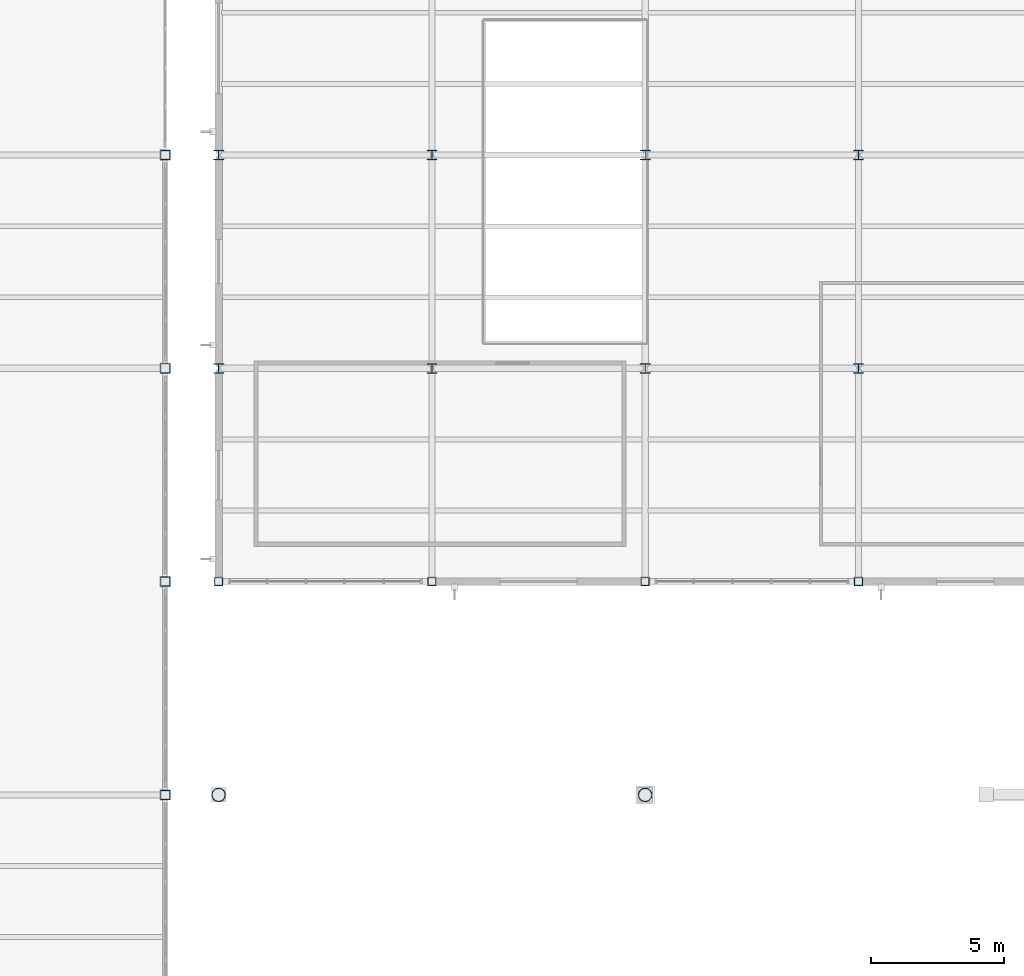
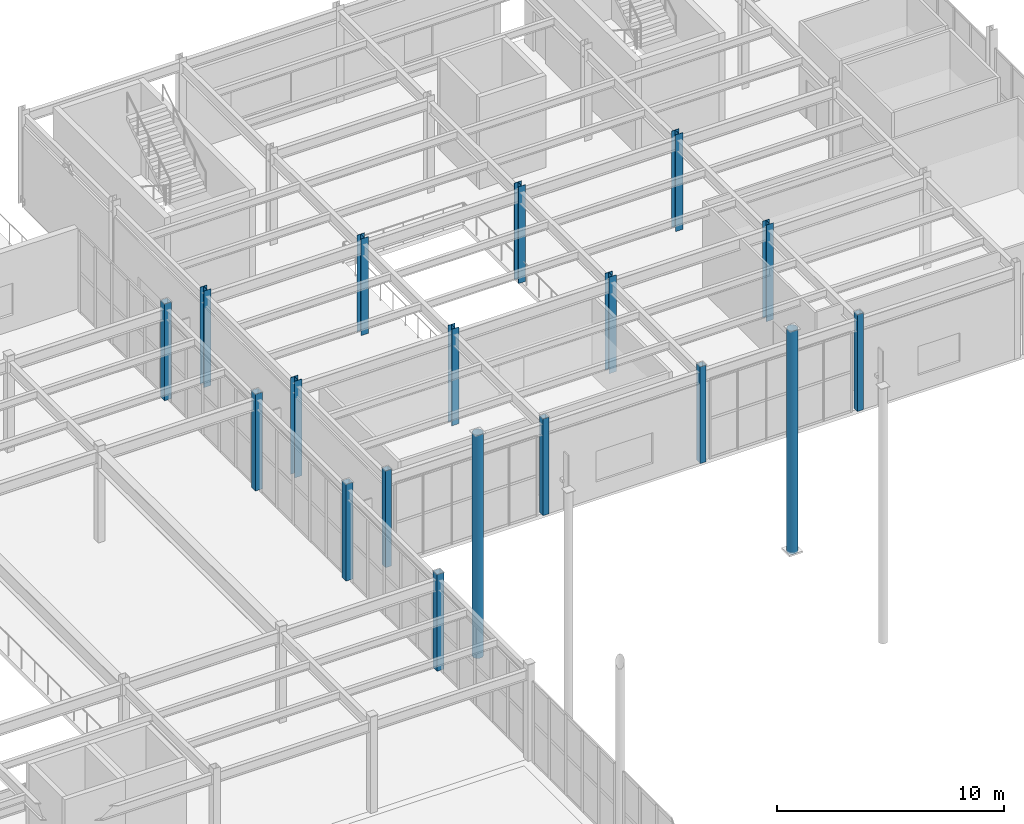
# One storey, part 12 of 77: 18 columns.
"""IFC4 building model written with IfcOpenShell, lengths in metres."""

import ifcopenshell
import ifcopenshell.guid

model = None  # the IFC model being written
_history = None  # IfcOwnerHistory: only IFC2X3 demands one
_inside = {}  # id of a spatial element -> (the spatial element, [elements in it])
_under = {}  # id of a project, library or spatial element -> (it, [spatial elements below it])
_declared = {}  # id of a project -> (the project, [libraries it declares])
_typed = {}  # id of a type object -> (the type object, [elements of that type])
_made_of = {}  # id of a material, layer set ... -> (it, [elements and type objects made of it])


def new_model(schema):
    """Start an empty IFC model of exactly this schema.

    Asked for "IFC4X3", IfcOpenShell would pick the latest addendum, in which some entities
    have other attributes; the version numbers below select the first issue.
    IFC2X3 requires an IfcOwnerHistory on every rooted entity: one is made here for all.
    """
    global model, _history
    if schema == "IFC4X3":
        model = ifcopenshell.file(schema_version=(4, 3, 0, 0))
    else:
        model = ifcopenshell.file(schema=schema)
    _inside.clear()
    _under.clear()
    _declared.clear()
    _typed.clear()
    _made_of.clear()
    _history = None
    if model.schema == "IFC2X3":
        org = make("IfcOrganization", Name="unknown")
        user = make(
            "IfcPersonAndOrganization",
            ThePerson=make("IfcPerson", FamilyName="unknown"),
            TheOrganization=org,
        )
        app = make(
            "IfcApplication",
            ApplicationDeveloper=org,
            Version="unknown",
            ApplicationFullName="unknown",
            ApplicationIdentifier="unknown",
        )
        _history = make(
            "IfcOwnerHistory",
            OwningUser=user,
            OwningApplication=app,
            ChangeAction="ADDED",
            CreationDate=0,
        )
    return model


def make(cls, **values):
    """One entity of the class cls with the attributes given. An attribute that is None is left unset."""
    return model.create_entity(
        cls, **{name: value for name, value in values.items() if value is not None}
    )


def rooted(cls, **values):
    """An entity with a GlobalId (a new one), such as an element, a storey or a relation."""
    return make(cls, GlobalId=ifcopenshell.guid.new(), OwnerHistory=_history, **values)


def si_unit(unit_type, name, prefix=None):
    """IfcSIUnit, for example si_unit("LENGTHUNIT", "METRE", prefix="MILLI")."""
    return make("IfcSIUnit", UnitType=unit_type, Prefix=prefix, Name=name)


def assignment(units):
    """IfcUnitAssignment: the units of a project."""
    return None if units is None else make("IfcUnitAssignment", Units=units)


def point(xyz):
    """IfcCartesianPoint."""
    return None if xyz is None else make("IfcCartesianPoint", Coordinates=xyz)


def direction(xyz):
    """IfcDirection."""
    return None if xyz is None else make("IfcDirection", DirectionRatios=xyz)


def frame(location, z_axis=None, x_axis=None):
    """IfcAxis2Placement3D, a coordinate frame: its origin and axes. An axis left out is left unset."""
    return make(
        "IfcAxis2Placement3D",
        Location=point(location),
        Axis=direction(z_axis),
        RefDirection=direction(x_axis),
    )


def frame_2d(location, x_axis=None):
    """IfcAxis2Placement2D, a coordinate frame in the plane: its origin and x axis."""
    return make(
        "IfcAxis2Placement2D", Location=point(location), RefDirection=direction(x_axis)
    )


def origin():
    """The frame at (0, 0, 0) with its axes left unset."""
    return frame((0.0, 0.0, 0.0))


def origin_2d():
    """The frame at (0, 0) in the plane with its x axis left unset."""
    return frame_2d((0.0, 0.0))


def place(relative_to, where):
    """IfcLocalPlacement: puts the frame where relative to a parent placement (None: the world)."""
    return make(
        "IfcLocalPlacement", PlacementRelTo=relative_to, RelativePlacement=where
    )


def context(
    kind, dimensions, precision=None, world=None, true_north=None, identifier=None
):
    """IfcGeometricRepresentationContext, for example the 3D "Model" context."""
    return make(
        "IfcGeometricRepresentationContext",
        ContextIdentifier=identifier,
        ContextType=kind,
        CoordinateSpaceDimension=dimensions,
        Precision=precision,
        WorldCoordinateSystem=world,
        TrueNorth=true_north,
    )


def subcontext(parent, identifier, kind, view, scale=None):
    """IfcGeometricRepresentationSubContext, for example "Body" below "Model"."""
    return make(
        "IfcGeometricRepresentationSubContext",
        ContextIdentifier=identifier,
        ContextType=kind,
        ParentContext=parent,
        TargetScale=scale,
        TargetView=view,
    )


def project(units=None, contexts=None):
    """IfcProject with its units and contexts."""
    return rooted(
        "IfcProject",
        Name="project",
        RepresentationContexts=contexts,
        UnitsInContext=assignment(units),
    )


def spatial(cls, under=None, at=None, **own):
    """A site, building, storey or space (cls), placed at a placement, below another one or the project."""
    s = rooted(cls, ObjectPlacement=at, **own)
    if under is not None:
        _under.setdefault(under.id(), (under, []))[1].append(s)
    return s


def profile(cls, at=None, kind="AREA", **sizes):
    """A parametric profile (cls). Its sizes go by their IFC names, for example OverallWidth=200.0."""
    return make(cls, ProfileType=kind, Position=at, **sizes)


def hollow_rectangle(**sizes):
    """IfcRectangleHollowProfileDef."""
    return profile("IfcRectangleHollowProfileDef", **sizes)


def hollow_circle(**sizes):
    """IfcCircleHollowProfileDef."""
    return profile("IfcCircleHollowProfileDef", **sizes)


def i_section(**sizes):
    """IfcIShapeProfileDef."""
    return profile("IfcIShapeProfileDef", **sizes)


def extrude(swept, where, along, depth):
    """IfcExtrudedAreaSolid: the profile swept, set in the frame where, extruded along a direction by depth."""
    return make(
        "IfcExtrudedAreaSolid",
        SweptArea=swept,
        Position=where,
        ExtrudedDirection=direction(along),
        Depth=depth,
    )


def shape(context_of_items, identifier, shape_type, items):
    """IfcShapeRepresentation: the items that make up one representation, for example the "Body"."""
    return make(
        "IfcShapeRepresentation",
        ContextOfItems=context_of_items,
        RepresentationIdentifier=identifier,
        RepresentationType=shape_type,
        Items=items,
    )


def material(Name=None, Category=None):
    """IfcMaterial."""
    return make("IfcMaterial", Name=Name, Category=Category)


def material_profile(
    of_material, cross_section, Name=None, Category=None, Priority=None
):
    """IfcMaterialProfile: a cross section and its material."""
    return make(
        "IfcMaterialProfile",
        Name=Name,
        Material=of_material,
        Profile=cross_section,
        Priority=Priority,
        Category=Category,
    )


def profile_set(profiles, Name=None, composite=None):
    """IfcMaterialProfileSet."""
    return make(
        "IfcMaterialProfileSet",
        Name=Name,
        MaterialProfiles=profiles,
        CompositeProfile=composite,
    )


def made_of(thing, what):
    """Note that an element or type object is made of a material, layer set ...; save() writes the relation."""
    if what is not None:
        _made_of.setdefault(what.id(), (what, []))[1].append(thing)
    return thing


def type_object(cls, material=None, **own):
    """A type object (cls), such as IfcWallType, which elements share."""
    return made_of(rooted(cls, **own), material)


def element(
    cls,
    number,
    at=None,
    inside=None,
    cuts=None,
    type_object=None,
    material=None,
    context=None,
    identifier="Body",
    shape_type=None,
    held_by="IfcProductDefinitionShape",
    body=None,
    shapes=None,
    **own,
):
    """One element of the class cls, such as IfcWall. Its Tag is "e" and its number.

    at: its placement. inside: the storey or other place that contains it. cuts: it is an
    opening in that element (IfcRelVoidsElement). A single representation is given by context,
    identifier, shape_type and body (its items); several are given by shapes. held_by: the class
    of the entity that holds the representations. save() writes the other relations.
    """
    e = rooted(cls, Tag="e%d" % number, ObjectPlacement=at, **own)
    if body is not None:
        shapes = [shape(context, identifier, shape_type, body)]
    if shapes is not None:
        e.Representation = make(held_by, Representations=shapes)
    if inside is not None:
        _inside.setdefault(inside.id(), (inside, []))[1].append(e)
    if cuts is not None:
        rooted(
            "IfcRelVoidsElement", RelatingBuildingElement=cuts, RelatedOpeningElement=e
        )
    if type_object is not None:
        _typed.setdefault(type_object.id(), (type_object, []))[1].append(e)
    return made_of(e, material)


def aggregate(whole, parts):
    """IfcRelAggregates: a whole, such as a stair, and the parts it consists of."""
    return rooted("IfcRelAggregates", RelatingObject=whole, RelatedObjects=parts)


def save(model, path):
    """Write the relations noted so far, then the file.

    IfcRelAggregates (storeys below a building ...), IfcRelContainedInSpatialStructure (elements
    in a storey), IfcRelDefinesByType, IfcRelAssociatesMaterial and IfcRelDeclares: one each for
    every whole, place, type object, material and project.
    """
    for whole, parts in _under.values():
        aggregate(whole, parts)
    for where, things in _inside.values():
        rooted(
            "IfcRelContainedInSpatialStructure",
            RelatedElements=things,
            RelatingStructure=where,
        )
    for kind, things in _typed.values():
        rooted("IfcRelDefinesByType", RelatedObjects=things, RelatingType=kind)
    for what, things in _made_of.values():
        rooted("IfcRelAssociatesMaterial", RelatedObjects=things, RelatingMaterial=what)
    for by, libraries in _declared.values():
        rooted("IfcRelDeclares", RelatingContext=by, RelatedDefinitions=libraries)
    model.write(path)


model = new_model("IFC4")

# Units and contexts
model_context = context("Model", 3, precision=1e-05, world=origin(), true_north=direction((0.0, 1.0)))
body_context = subcontext(model_context, "Body", "Model", "MODEL_VIEW")
ifc_project = project(units=[si_unit("LENGTHUNIT", "METRE"), si_unit("AREAUNIT", "SQUARE_METRE"), si_unit("VOLUMEUNIT", "CUBIC_METRE"), si_unit("PLANEANGLEUNIT", "RADIAN"), si_unit("MASSUNIT", "GRAM", prefix="KILO")], contexts=[model_context])

# Site, building, storey
site_placement = place(None, origin())
site = spatial("IfcSite", under=ifc_project, at=site_placement, CompositionType="ELEMENT")
building_placement = place(site_placement, origin())
building = spatial("IfcBuilding", under=site, at=building_placement, Name="Drelvath Fold Interchange", CompositionType="ELEMENT")
storey_placement = place(building_placement, frame((0.0, 0.0, 6.0)))
storey = spatial("IfcBuildingStorey", under=building, at=storey_placement, Name="L01", CompositionType="ELEMENT", Elevation=6.0)

# Columns
ifc_material_1 = material(Name="Steel ASTM A500 Grade C", Category="steel")
ifc_material_profile_1 = material_profile(ifc_material_1, hollow_circle(Radius=0.25390625, WallThickness=0.014892578125, at=origin_2d()), Name="HSS20.000X0.625")
ifc_profile_set_1 = profile_set([ifc_material_profile_1], Name="Steel ASTM A500 Grade C")
column_type_1 = type_object("IfcColumnType", Name="COL-CFT508", PredefinedType="COLUMN", material=ifc_profile_set_1)
for number, where, z_axis, x_axis, name in (
    (1, (102.0, 67.0, 0.0), (0.0, 0.0, 1.0), (1.0, 0.0, 0.0), "L01 column (102,67)"),
    (2, (118.0, 67.0, 0.0), (0.0, 0.0, 1.0), (1.0, 0.0, 0.0), "L01 column (118,67)"),
):
    element("IfcColumn", number, at=place(storey_placement, frame(where, z_axis=z_axis, x_axis=x_axis)), inside=storey, type_object=column_type_1, Name=name, PredefinedType="COLUMN", context=body_context, shape_type="SweptSolid", body=[
        extrude(hollow_circle(Radius=0.25390625, WallThickness=0.014892578125, at=origin_2d()), origin(), (0.0, 0.0, 1.0), 12.009033203125),
    ])
ifc_material_profile_2 = material_profile(ifc_material_1, hollow_rectangle(XDim=0.304931640625, YDim=0.304931640625, WallThickness=0.01171875, at=origin_2d()), Name="HSS12X12X1/2")
ifc_profile_set_2 = profile_set([ifc_material_profile_2], Name="Steel ASTM A500 Grade C")
column_type_2 = type_object("IfcColumnType", Name="COL-HSS305", PredefinedType="COLUMN", material=ifc_profile_set_2)
for number, where, z_axis, x_axis, name in (
    (3, (102.0, 75.0, 0.0), (0.0, 0.0, 1.0), (1.0, 0.0, 0.0), "L01 column (102,75)"),
    (4, (110.0, 75.0, 0.0), (0.0, 0.0, 1.0), (1.0, 0.0, 0.0), "L01 column (110,75)"),
    (5, (118.0, 75.0, 0.0), (0.0, 0.0, 1.0), (1.0, 0.0, 0.0), "L01 column (118,75)"),
    (6, (126.0, 75.0, 0.0), (0.0, 0.0, 1.0), (1.0, 0.0, 0.0), "L01 column (126,75)"),
):
    element("IfcColumn", number, at=place(storey_placement, frame(where, z_axis=z_axis, x_axis=x_axis)), inside=storey, type_object=column_type_2, Name=name, PredefinedType="COLUMN", context=body_context, shape_type="SweptSolid", body=[
        extrude(hollow_rectangle(XDim=0.304931640625, YDim=0.304931640625, WallThickness=0.01171875, at=origin_2d()), origin(), (0.0, 0.0, 1.0), 5.199951171875),
    ])
ifc_material_profile_3 = material_profile(ifc_material_1, hollow_rectangle(XDim=0.35595703125, YDim=0.35595703125, WallThickness=0.014892578125, at=origin_2d()), Name="HSS14X14X5/8")
ifc_profile_set_3 = profile_set([ifc_material_profile_3], Name="Steel ASTM A500 Grade C")
column_type_3 = type_object("IfcColumnType", Name="COL-HSS356", PredefinedType="COLUMN", material=ifc_profile_set_3)
for number, where, z_axis, x_axis, name in (
    (7, (100.0, 67.0, 0.0), (0.0, 0.0, 1.0), (1.0, 0.0, 0.0), "L01 column (100,67)"),
    (8, (100.0, 75.0, 0.0), (0.0, 0.0, 1.0), (1.0, 0.0, 0.0), "L01 column (100,75)"),
    (9, (100.0, 83.0, 0.0), (0.0, 0.0, 1.0), (1.0, 0.0, 0.0), "L01 column (100,83)"),
    (10, (100.0, 91.0, 0.0), (0.0, 0.0, 1.0), (1.0, 0.0, 0.0), "L01 column (100,91)"),
):
    element("IfcColumn", number, at=place(storey_placement, frame(where, z_axis=z_axis, x_axis=x_axis)), inside=storey, type_object=column_type_3, Name=name, PredefinedType="COLUMN", context=body_context, shape_type="SweptSolid", body=[
        extrude(hollow_rectangle(XDim=0.35595703125, YDim=0.35595703125, WallThickness=0.014892578125, at=origin_2d()), origin(), (0.0, 0.0, 1.0), 5.199951171875),
    ])
ifc_material_2 = material(Name="Steel ASTM A992 Grade 50", Category="steel")
ifc_material_profile_4 = material_profile(ifc_material_2, i_section(OverallWidth=0.368896484375, OverallDepth=0.35595703125, WebThickness=0.01123046875, FlangeThickness=0.01806640625, at=origin_2d()), Name="W14X90")
ifc_profile_set_4 = profile_set([ifc_material_profile_4], Name="Steel ASTM A992 Grade 50")
column_type_4 = type_object("IfcColumnType", Name="COL-W14X90", PredefinedType="COLUMN", material=ifc_profile_set_4)
for number, where, z_axis, x_axis, name in (
    (11, (102.0, 83.0, 0.0), (0.0, 0.0, 1.0), (1.0, 0.0, 0.0), "L01 column (102,83)"),
    (12, (102.0, 91.0, 0.0), (0.0, 0.0, 1.0), (1.0, 0.0, 0.0), "L01 column (102,91)"),
    (13, (110.0, 83.0, 0.0), (0.0, 0.0, 1.0), (1.0, 0.0, 0.0), "L01 column (110,83)"),
    (14, (110.0, 91.0, 0.0), (0.0, 0.0, 1.0), (1.0, 0.0, 0.0), "L01 column (110,91)"),
    (15, (118.0, 83.0, 0.0), (0.0, 0.0, 1.0), (1.0, 0.0, 0.0), "L01 column (118,83)"),
    (16, (118.0, 91.0, 0.0), (0.0, 0.0, 1.0), (1.0, 0.0, 0.0), "L01 column (118,91)"),
    (17, (126.0, 83.0, 0.0), (0.0, 0.0, 1.0), (1.0, 0.0, 0.0), "L01 column (126,83)"),
    (18, (126.0, 91.0, 0.0), (0.0, 0.0, 1.0), (1.0, 0.0, 0.0), "L01 column (126,91)"),
):
    element("IfcColumn", number, at=place(storey_placement, frame(where, z_axis=z_axis, x_axis=x_axis)), inside=storey, type_object=column_type_4, Name=name, PredefinedType="COLUMN", context=body_context, shape_type="SweptSolid", body=[
        extrude(i_section(OverallWidth=0.368896484375, OverallDepth=0.35595703125, WebThickness=0.01123046875, FlangeThickness=0.01806640625, at=origin_2d()), origin(), (0.0, 0.0, 1.0), 5.199951171875),
    ])

save(model, "model.ifc")
